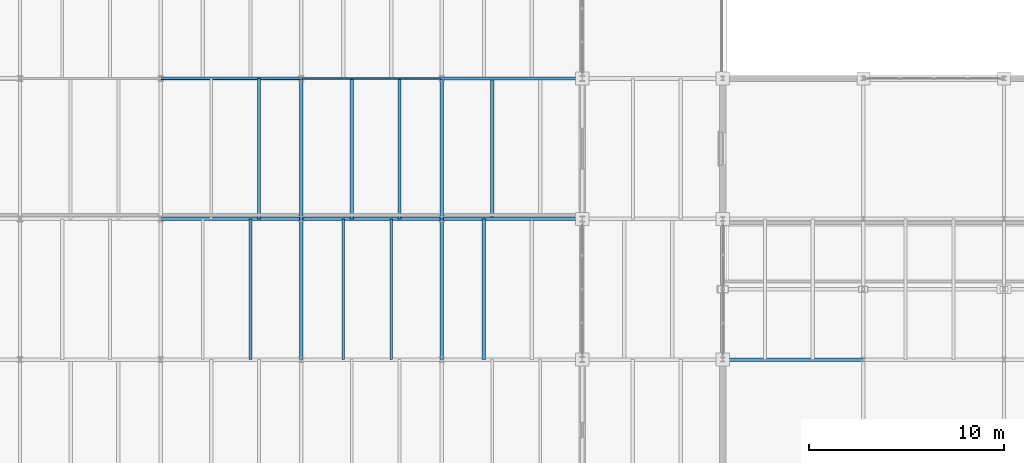
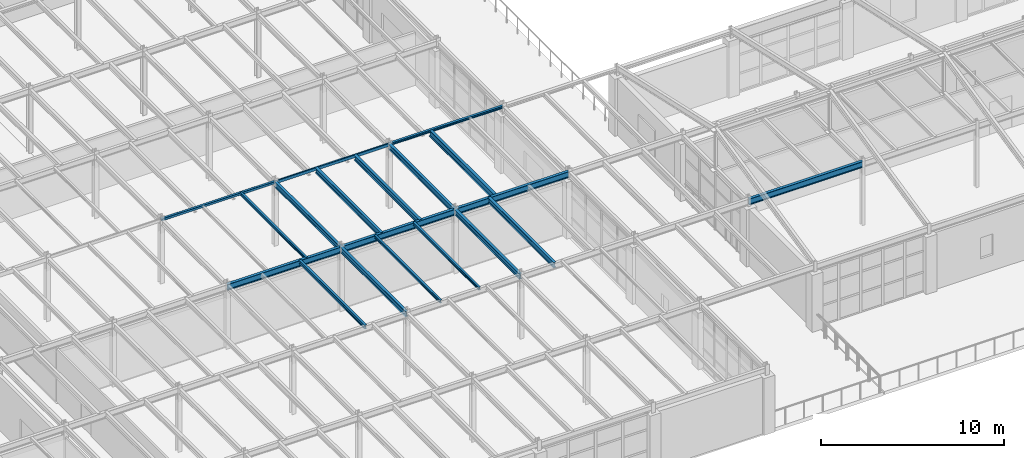
# One storey, part 30 of 101: 19 beams.
"""IFC4 building model written with IfcOpenShell, lengths in metres."""

from ifc_helpers import new_model, si_unit, direction, frame, origin, origin_2d, place, context, subcontext, project, spatial, hollow_rectangle, i_section, extrude, material, material_profile, profile_set, type_object, element, save


model = new_model("IFC4")

# Units and contexts
model_context = context("Model", 3, precision=1e-05, world=origin(), true_north=direction((0.0, 1.0)))
body_context = subcontext(model_context, "Body", "Model", "MODEL_VIEW")
ifc_project = project(units=[si_unit("LENGTHUNIT", "METRE"), si_unit("AREAUNIT", "SQUARE_METRE"), si_unit("VOLUMEUNIT", "CUBIC_METRE"), si_unit("PLANEANGLEUNIT", "RADIAN"), si_unit("MASSUNIT", "GRAM", prefix="KILO")], contexts=[model_context])

# Site, building, storey
site_placement = place(None, origin())
site = spatial("IfcSite", under=ifc_project, at=site_placement, CompositionType="ELEMENT")
building_placement = place(site_placement, origin())
building = spatial("IfcBuilding", under=site, at=building_placement, Name="Kemerveld Promenade Tramway Depot", CompositionType="ELEMENT")
storey_placement = place(building_placement, frame((0.0, 0.0, 9.89990234375)))
storey = spatial("IfcBuildingStorey", under=building, at=storey_placement, Name="L02", CompositionType="ELEMENT", Elevation=9.89990234375)

# Beams
ifc_material = material(Name="Steel S355", Category="steel")
ifc_material_profile_1 = material_profile(ifc_material, i_section(OverallWidth=0.1787109375, OverallDepth=0.409423828125, WebThickness=0.0087890625, FlangeThickness=0.014404296875, FilletRadius=0.01025390625, at=origin_2d()), Name="406x178x67 UB")
ifc_profile_set_1 = profile_set([ifc_material_profile_1], Name="Steel S355")
beam_type_1 = type_object("IfcBeamType", Name="BM-G07", PredefinedType="BEAM", material=ifc_profile_set_1)
for number, where, z_axis, x_axis, name in (
    (1, (57.60009765625, 14.39990234375, 4.0703125), (1.0, 0.0, 0.0), (0.0, 1.0, 0.0), "BMX-L02-09-10-C"),
    (2, (28.800048828125, 21.60009765625, 4.080322265625), (1.0, 0.0, 0.0), (0.0, 1.0, 0.0), "BMX-L02-05-06-D"),
    (3, (36.0, 21.60009765625, 4.080322265625), (1.0, 0.0, 0.0), (0.0, 1.0, 0.0), "BMX-L02-06-07-D"),
    (4, (43.199951171875, 21.60009765625, 4.080322265625), (1.0, 0.0, 0.0), (0.0, 1.0, 0.0), "BMX-L02-07-08-D"),
):
    element("IfcBeam", number, at=place(storey_placement, frame(where, z_axis=z_axis, x_axis=x_axis)), inside=storey, type_object=beam_type_1, Name=name, PredefinedType="BEAM", context=body_context, shape_type="SweptSolid", body=[
        extrude(i_section(OverallWidth=0.1787109375, OverallDepth=0.409423828125, WebThickness=0.0087890625, FlangeThickness=0.014404296875, FilletRadius=0.01025390625, at=origin_2d()), origin(), (0.0, 0.0, 1.0), 7.199951171875),
    ])
ifc_material_profile_2 = material_profile(ifc_material, i_section(OverallWidth=0.172119140625, OverallDepth=0.35791015625, WebThickness=0.008056640625, FlangeThickness=0.012939453125, FilletRadius=0.01025390625, at=origin_2d()), Name="356x171x57 UB")
ifc_profile_set_2 = profile_set([ifc_material_profile_2], Name="Steel S355")
beam_type_2 = type_object("IfcBeamType", Name="BM-G08", PredefinedType="BEAM", material=ifc_profile_set_2)
beam_1_placement = place(storey_placement, frame((36.0, 14.39990234375, 4.106201171875), z_axis=(0.0, 1.0, 0.0), x_axis=(-1.0, 0.0, 0.0)))
element("IfcBeam", 5, at=beam_1_placement, inside=storey, type_object=beam_type_2, Name="BMY-L02-06-C-D", PredefinedType="BEAM", context=body_context, shape_type="SweptSolid", body=[
    extrude(i_section(OverallWidth=0.172119140625, OverallDepth=0.35791015625, WebThickness=0.008056640625, FlangeThickness=0.012939453125, FilletRadius=0.01025390625, at=origin_2d()), origin(), (0.0, 0.0, 1.0), 7.2001953125),
])
beam_2_placement = place(storey_placement, frame((36.0, 21.60009765625, 4.106201171875), z_axis=(0.0, 1.0, 0.0), x_axis=(-1.0, 0.0, 0.0)))
element("IfcBeam", 6, at=beam_2_placement, inside=storey, type_object=beam_type_2, Name="BMY-L02-06-D-E", PredefinedType="BEAM", context=body_context, shape_type="SweptSolid", body=[
    extrude(i_section(OverallWidth=0.172119140625, OverallDepth=0.35791015625, WebThickness=0.008056640625, FlangeThickness=0.012939453125, FilletRadius=0.01025390625, at=origin_2d()), origin(), (0.0, 0.0, 1.0), 7.199951171875),
])
beam_3_placement = place(storey_placement, frame((43.199951171875, 14.39990234375, 4.106201171875), z_axis=(0.0, 1.0, 0.0), x_axis=(-1.0, 0.0, 0.0)))
element("IfcBeam", 7, at=beam_3_placement, inside=storey, type_object=beam_type_2, Name="BMY-L02-07-C-D", PredefinedType="BEAM", context=body_context, shape_type="SweptSolid", body=[
    extrude(i_section(OverallWidth=0.172119140625, OverallDepth=0.35791015625, WebThickness=0.008056640625, FlangeThickness=0.012939453125, FilletRadius=0.01025390625, at=origin_2d()), origin(), (0.0, 0.0, 1.0), 7.2001953125),
])
beam_4_placement = place(storey_placement, frame((43.199951171875, 21.60009765625, 4.106201171875), z_axis=(0.0, 1.0, 0.0), x_axis=(-1.0, 0.0, 0.0)))
element("IfcBeam", 8, at=beam_4_placement, inside=storey, type_object=beam_type_2, Name="BMY-L02-07-D-E", PredefinedType="BEAM", context=body_context, shape_type="SweptSolid", body=[
    extrude(i_section(OverallWidth=0.172119140625, OverallDepth=0.35791015625, WebThickness=0.008056640625, FlangeThickness=0.012939453125, FilletRadius=0.01025390625, at=origin_2d()), origin(), (0.0, 0.0, 1.0), 7.199951171875),
])
ifc_material_profile_3 = material_profile(ifc_material, i_section(OverallWidth=0.146484375, OverallDepth=0.256103515625, WebThickness=0.00634765625, FlangeThickness=0.010986328125, FilletRadius=0.007568359375, at=origin_2d()), Name="254x146x37 UB")
ifc_profile_set_3 = profile_set([ifc_material_profile_3], Name="Steel S355")
beam_type_3 = type_object("IfcBeamType", Name="BM-J02", PredefinedType="JOIST", material=ifc_profile_set_3)
beam_5_placement = place(storey_placement, frame((33.407958984375, 14.39990234375, 4.156982421875), z_axis=(0.0, 1.0, 0.0), x_axis=(-1.0, 0.0, 0.0)))
element("IfcBeam", 9, at=beam_5_placement, inside=storey, type_object=beam_type_3, Name="JST-L02-05-C-2", PredefinedType="JOIST", context=body_context, shape_type="SweptSolid", body=[
    extrude(i_section(OverallWidth=0.146484375, OverallDepth=0.256103515625, WebThickness=0.00634765625, FlangeThickness=0.010986328125, FilletRadius=0.007568359375, at=origin_2d()), origin(), (0.0, 0.0, 1.0), 7.2001953125),
])
ifc_material_profile_4 = material_profile(ifc_material, i_section(OverallWidth=0.13330078125, OverallDepth=0.203125, WebThickness=0.005615234375, FlangeThickness=0.0078125, FilletRadius=0.007568359375, at=origin_2d()), Name="203x133x25 UB")
ifc_profile_set_4 = profile_set([ifc_material_profile_4], Name="Steel S355")
beam_type_4 = type_object("IfcBeamType", Name="BM-J03", PredefinedType="JOIST", material=ifc_profile_set_4)
beam_6_placement = place(storey_placement, frame((33.840087890625, 21.60009765625, 4.18359375), z_axis=(0.0, 1.0, 0.0), x_axis=(-1.0, 0.0, 0.0)))
element("IfcBeam", 10, at=beam_6_placement, inside=storey, type_object=beam_type_4, Name="JST-L02-05-D-2", PredefinedType="JOIST", context=body_context, shape_type="SweptSolid", body=[
    extrude(i_section(OverallWidth=0.13330078125, OverallDepth=0.203125, WebThickness=0.005615234375, FlangeThickness=0.0078125, FilletRadius=0.007568359375, at=origin_2d()), origin(), (0.0, 0.0, 1.0), 7.199951171875),
])
for number, where, z_axis, x_axis, name in (
    (11, (38.159912109375, 14.39990234375, 4.18359375), (0.0, 1.0, 0.0), (-1.0, 0.0, 0.0), "JST-L02-06-C-1"),
    (12, (40.60791015625, 14.39990234375, 4.18359375), (0.0, 1.0, 0.0), (-1.0, 0.0, 0.0), "JST-L02-06-C-2"),
):
    element("IfcBeam", number, at=place(storey_placement, frame(where, z_axis=z_axis, x_axis=x_axis)), inside=storey, type_object=beam_type_4, Name=name, PredefinedType="JOIST", context=body_context, shape_type="SweptSolid", body=[
        extrude(i_section(OverallWidth=0.13330078125, OverallDepth=0.203125, WebThickness=0.005615234375, FlangeThickness=0.0078125, FilletRadius=0.007568359375, at=origin_2d()), origin(), (0.0, 0.0, 1.0), 7.2001953125),
    ])
ifc_material_profile_5 = material_profile(ifc_material, i_section(OverallWidth=0.172119140625, OverallDepth=0.35791015625, WebThickness=0.008056640625, FlangeThickness=0.012939453125, FilletRadius=0.01025390625, at=origin_2d()), Name="356x171x57 UB")
ifc_profile_set_5 = profile_set([ifc_material_profile_5], Name="Steel S355")
beam_type_5 = type_object("IfcBeamType", Name="BM-J04", PredefinedType="JOIST", material=ifc_profile_set_5)
for number, where, z_axis, x_axis, name in (
    (13, (38.592041015625, 21.60009765625, 4.106201171875), (0.0, 1.0, 0.0), (-1.0, 0.0, 0.0), "JST-L02-06-D-1"),
    (14, (41.0400390625, 21.60009765625, 4.106201171875), (0.0, 1.0, 0.0), (-1.0, 0.0, 0.0), "JST-L02-06-D-2"),
):
    element("IfcBeam", number, at=place(storey_placement, frame(where, z_axis=z_axis, x_axis=x_axis)), inside=storey, type_object=beam_type_5, Name=name, PredefinedType="JOIST", context=body_context, shape_type="SweptSolid", body=[
        extrude(i_section(OverallWidth=0.172119140625, OverallDepth=0.35791015625, WebThickness=0.008056640625, FlangeThickness=0.012939453125, FilletRadius=0.01025390625, at=origin_2d()), origin(), (0.0, 0.0, 1.0), 7.199951171875),
    ])
beam_7_placement = place(storey_placement, frame((45.360107421875, 14.39990234375, 4.106201171875), z_axis=(0.0, 1.0, 0.0), x_axis=(-1.0, 0.0, 0.0)))
element("IfcBeam", 15, at=beam_7_placement, inside=storey, type_object=beam_type_5, Name="JST-L02-07-C-1", PredefinedType="JOIST", context=body_context, shape_type="SweptSolid", body=[
    extrude(i_section(OverallWidth=0.172119140625, OverallDepth=0.35791015625, WebThickness=0.008056640625, FlangeThickness=0.012939453125, FilletRadius=0.01025390625, at=origin_2d()), origin(), (0.0, 0.0, 1.0), 7.2001953125),
])
ifc_material_profile_6 = material_profile(ifc_material, i_section(OverallWidth=0.1787109375, OverallDepth=0.409423828125, WebThickness=0.0087890625, FlangeThickness=0.014404296875, FilletRadius=0.01025390625, at=origin_2d()), Name="406x178x67 UB")
ifc_profile_set_6 = profile_set([ifc_material_profile_6], Name="Steel S355")
beam_type_6 = type_object("IfcBeamType", Name="BM-J05", PredefinedType="JOIST", material=ifc_profile_set_6)
beam_8_placement = place(storey_placement, frame((45.7919921875, 21.60009765625, 4.080322265625), z_axis=(0.0, 1.0, 0.0), x_axis=(-1.0, 0.0, 0.0)))
element("IfcBeam", 16, at=beam_8_placement, inside=storey, type_object=beam_type_6, Name="JST-L02-07-D-1", PredefinedType="JOIST", context=body_context, shape_type="SweptSolid", body=[
    extrude(i_section(OverallWidth=0.1787109375, OverallDepth=0.409423828125, WebThickness=0.0087890625, FlangeThickness=0.014404296875, FilletRadius=0.01025390625, at=origin_2d()), origin(), (0.0, 0.0, 1.0), 7.199951171875),
])
ifc_material_profile_7 = material_profile(ifc_material, hollow_rectangle(XDim=0.10009765625, YDim=0.199951171875, WallThickness=0.008056640625, InnerFilletRadius=0.00390625, OuterFilletRadius=0.011962890625, at=origin_2d()), Name="200x100x8.0 RHS")
ifc_profile_set_7 = profile_set([ifc_material_profile_7], Name="Steel S355")
beam_type_7 = type_object("IfcBeamType", Name="BM-LN1", PredefinedType="LINTEL", material=ifc_profile_set_7)
beam_9_placement = place(storey_placement, frame((36.0, 28.800048828125, 4.18505859375), z_axis=(1.0, 0.0, 0.0), x_axis=(0.0, 1.0, 0.0)))
element("IfcBeam", 17, at=beam_9_placement, inside=storey, type_object=beam_type_7, Name="BMX-L02-06-07-E", PredefinedType="LINTEL", context=body_context, shape_type="SweptSolid", body=[
    extrude(hollow_rectangle(XDim=0.10009765625, YDim=0.199951171875, WallThickness=0.008056640625, InnerFilletRadius=0.00390625, OuterFilletRadius=0.011962890625, at=origin_2d()), origin(), (0.0, 0.0, 1.0), 7.199951171875),
])
ifc_material_profile_8 = material_profile(ifc_material, i_section(OverallWidth=0.154296875, OverallDepth=0.161865234375, WebThickness=0.008056640625, FlangeThickness=0.011474609375, FilletRadius=0.007568359375, at=origin_2d()), Name="152x152x37 UC")
ifc_profile_set_8 = profile_set([ifc_material_profile_8], Name="Steel S355")
beam_type_8 = type_object("IfcBeamType", Name="BM-LN2", PredefinedType="LINTEL", material=ifc_profile_set_8)
beam_10_placement = place(storey_placement, frame((43.199951171875, 28.800048828125, 4.2041015625), z_axis=(1.0, 0.0, 0.0), x_axis=(0.0, 1.0, 0.0)))
element("IfcBeam", 18, at=beam_10_placement, inside=storey, type_object=beam_type_8, Name="BMX-L02-07-08-E", PredefinedType="LINTEL", context=body_context, shape_type="SweptSolid", body=[
    extrude(i_section(OverallWidth=0.154296875, OverallDepth=0.161865234375, WebThickness=0.008056640625, FlangeThickness=0.011474609375, FilletRadius=0.007568359375, at=origin_2d()), origin(), (0.0, 0.0, 1.0), 7.199951171875),
])
ifc_material_profile_9 = material_profile(ifc_material, hollow_rectangle(XDim=0.14990234375, YDim=0.14990234375, WallThickness=0.008056640625, InnerFilletRadius=0.00390625, OuterFilletRadius=0.011962890625, at=origin_2d()), Name="150x150x8.0 SHS")
ifc_profile_set_9 = profile_set([ifc_material_profile_9], Name="Steel S355")
beam_type_9 = type_object("IfcBeamType", Name="BM-SP4", PredefinedType="SPANDREL", material=ifc_profile_set_9)
beam_11_placement = place(storey_placement, frame((28.800048828125, 28.800048828125, 4.210205078125), z_axis=(1.0, 0.0, 0.0), x_axis=(0.0, 1.0, 0.0)))
element("IfcBeam", 19, at=beam_11_placement, inside=storey, type_object=beam_type_9, Name="BMX-L02-05-06-E", PredefinedType="SPANDREL", context=body_context, shape_type="SweptSolid", body=[
    extrude(hollow_rectangle(XDim=0.14990234375, YDim=0.14990234375, WallThickness=0.008056640625, InnerFilletRadius=0.00390625, OuterFilletRadius=0.011962890625, at=origin_2d()), origin(), (0.0, 0.0, 1.0), 7.199951171875),
])

save(model, "model.ifc")
